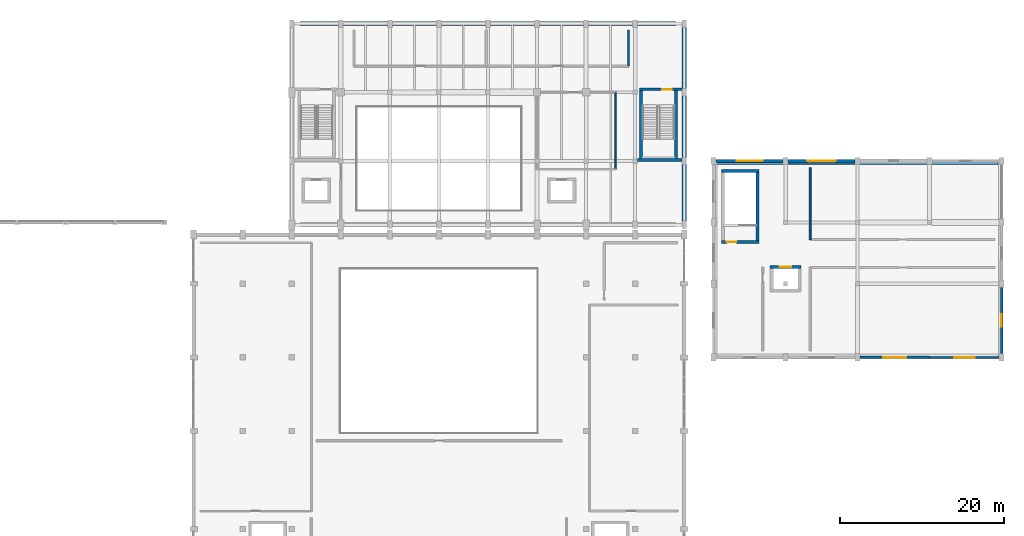
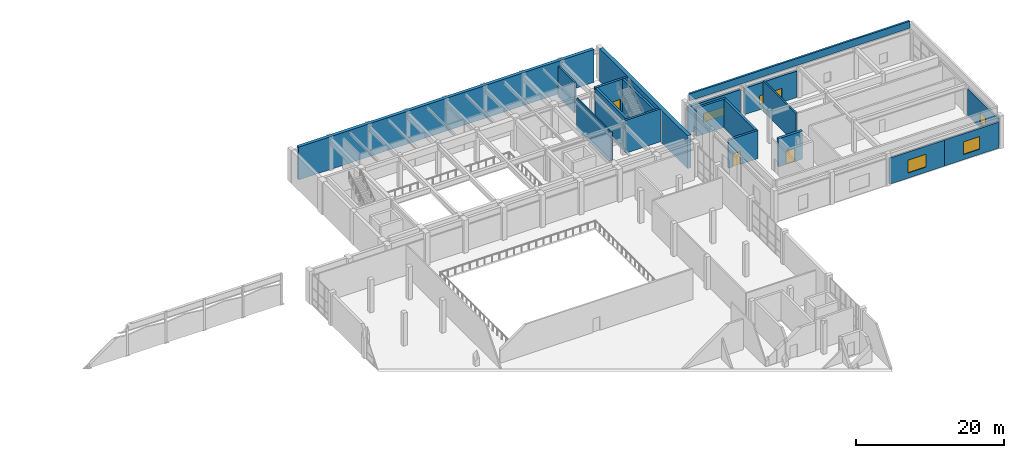
# One storey, part 31 of 41: 19 walls, 5 windows, 3 doors, 8 openings.
"""IFC4 building model written with IfcOpenShell, lengths in metres."""

from ifc_helpers import new_model, si_unit, direction, frame, frame_2d, origin, place, context, subcontext, project, spatial, rectangle, extrude, material, layer, layer_set, type_object, element, fill, save


model = new_model("IFC4")

# Units and contexts
model_context = context("Model", 3, precision=1e-05, world=origin(), true_north=direction((0.0, 1.0)))
body_context = subcontext(model_context, "Body", "Model", "MODEL_VIEW")
ifc_project = project(units=[si_unit("LENGTHUNIT", "METRE"), si_unit("AREAUNIT", "SQUARE_METRE"), si_unit("VOLUMEUNIT", "CUBIC_METRE"), si_unit("PLANEANGLEUNIT", "RADIAN"), si_unit("MASSUNIT", "GRAM", prefix="KILO")], contexts=[model_context])

# Site, building, storey
site_placement = place(None, origin())
site = spatial("IfcSite", under=ifc_project, at=site_placement, CompositionType="ELEMENT")
building_placement = place(site_placement, origin())
building = spatial("IfcBuilding", under=site, at=building_placement, Name="Vaelkrest Opera House", CompositionType="ELEMENT")
storey_placement = place(building_placement, frame((0.0, 0.0, 24.60009765625)))
storey = spatial("IfcBuildingStorey", under=building, at=storey_placement, Name="L05", CompositionType="ELEMENT", Elevation=24.60009765625)

# Wall, opening, window
ifc_material_1 = material(Name="Douglas fir glulam GL28h", Category="wood")
ifc_layer_1 = layer(ifc_material_1, 0.2548828125)
ifc_layer_set_1 = layer_set([ifc_layer_1], Name="Douglas fir glulam GL28h")
wall_type_1 = type_object("IfcWallType", Name="EW01", PredefinedType="STANDARD", material=ifc_layer_set_1)
wall_1_placement = place(storey_placement, frame((68.501953125, 1.199951171875, 0.0), z_axis=(0.0, 0.0, 1.0), x_axis=(-1.0, 0.0, 0.0)))
wall_1 = element("IfcWall", 1, at=wall_1_placement, inside=storey, type_object=wall_type_1, Name="Exterior facade wall EW-V4-L05-0291", PredefinedType="STANDARD", context=body_context, shape_type="SweptSolid", body=[
    extrude(rectangle(XDim=8.501953125, YDim=0.2548828125, at=frame_2d((4.2509765625, 0.0))), origin(), (0.0, 0.0, 1.0), 4.266845703125),
])
opening_1_placement = place(wall_1_placement, frame((3.0009765625, 0.0, 0.85009765625)))
opening_1 = element("IfcOpeningElement", 2, at=opening_1_placement, cuts=wall_1, Name="Opening WN174", PredefinedType="OPENING", context=body_context, shape_type="SweptSolid", body=[
    extrude(rectangle(XDim=2.5, YDim=2.10009765625, at=frame_2d((1.25, 1.050048828125))), frame((0.0, 0.137451171875, 0.0), z_axis=(0.0, -1.0, 0.0), x_axis=(1.0, 0.0, 0.0)), (0.0, 0.0, 1.0), 0.27490234375),
])
ifc_material_2 = material(Name="Double low-E insulated glazing", Category="glass")
window_type_1 = type_object("IfcWindowType", Name="WT18", PartitioningType="SINGLE_PANEL", PredefinedType="WINDOW", material=ifc_material_2)
window_1_placement = place(opening_1_placement, origin())
window_1 = element("IfcWindow", 3, at=window_1_placement, inside=storey, type_object=window_type_1, Name="Facade window WN174", OverallHeight=2.10009765625, OverallWidth=2.5, PartitioningType="SINGLE_PANEL", PredefinedType="WINDOW", context=body_context, shape_type="SweptSolid", body=[
    extrude(rectangle(XDim=2.5, YDim=2.10009765625, at=frame_2d((1.25, 1.050048828125))), frame((0.0, 0.030029296875, 0.0), z_axis=(0.0, -1.0, 0.0), x_axis=(1.0, 0.0, 0.0)), (0.0, 0.0, 1.0), 0.06005859375),
])
fill(opening_1, window_1)

ifc_layer_2 = layer(ifc_material_1, 0.27490234375)
ifc_layer_set_2 = layer_set([ifc_layer_2], Name="Douglas fir glulam GL28h")
wall_type_2 = type_object("IfcWallType", Name="EW02", PredefinedType="STANDARD", material=ifc_layer_set_2)
wall_2_placement = place(storey_placement, frame((60.0, 1.199951171875, 0.0), z_axis=(0.0, 0.0, 1.0), x_axis=(-1.0, 0.0, 0.0)))
wall_2 = element("IfcWall", 4, at=wall_2_placement, inside=storey, type_object=wall_type_2, Name="Exterior facade wall EW-V4-L05-0292", PredefinedType="STANDARD", context=body_context, shape_type="SweptSolid", body=[
    extrude(rectangle(XDim=8.501953125, YDim=0.27490234375, at=frame_2d((4.2509765625, 0.0))), origin(), (0.0, 0.0, 1.0), 4.266845703125),
])
opening_2_placement = place(wall_2_placement, frame((2.825927734375, 0.0, 0.85009765625)))
opening_2 = element("IfcOpeningElement", 5, at=opening_2_placement, cuts=wall_2, Name="Opening WN175", PredefinedType="OPENING", context=body_context, shape_type="SweptSolid", body=[
    extrude(rectangle(XDim=2.85009765625, YDim=2.10009765625, at=frame_2d((1.425048828125, 1.050048828125))), frame((0.0, 0.1474609375, 0.0), z_axis=(0.0, -1.0, 0.0), x_axis=(1.0, 0.0, 0.0)), (0.0, 0.0, 1.0), 0.294921875),
])
window_type_2 = type_object("IfcWindowType", Name="WT19", PartitioningType="SINGLE_PANEL", PredefinedType="WINDOW", material=ifc_material_2)
window_2_placement = place(opening_2_placement, origin())
window_2 = element("IfcWindow", 6, at=window_2_placement, inside=storey, type_object=window_type_2, Name="Facade window WN175", OverallHeight=2.10009765625, OverallWidth=2.85009765625, PartitioningType="SINGLE_PANEL", PredefinedType="WINDOW", context=body_context, shape_type="SweptSolid", body=[
    extrude(rectangle(XDim=2.85009765625, YDim=2.10009765625, at=frame_2d((1.425048828125, 1.050048828125))), frame((0.0, 0.030029296875, 0.0), z_axis=(0.0, -1.0, 0.0), x_axis=(1.0, 0.0, 0.0)), (0.0, 0.0, 1.0), 0.06005859375),
])
fill(opening_2, window_2)

ifc_layer_3 = layer(ifc_material_1, 0.294921875)
ifc_layer_set_3 = layer_set([ifc_layer_3], Name="Douglas fir glulam GL28h")
wall_type_3 = type_object("IfcWallType", Name="EW03", PredefinedType="STANDARD", material=ifc_layer_set_3)
wall_3_placement = place(storey_placement, frame((68.800048828125, 9.751953125, 0.0), z_axis=(0.0, 0.0, 1.0), x_axis=(0.0, -1.0, 0.0)))
wall_3 = element("IfcWall", 7, at=wall_3_placement, inside=storey, type_object=wall_type_3, Name="Exterior facade wall EW-V4-L05-0303", PredefinedType="STANDARD", context=body_context, shape_type="SweptSolid", body=[
    extrude(rectangle(XDim=8.10400390625, YDim=0.294921875, at=frame_2d((4.052001953125, 0.0))), origin(), (0.0, 0.0, 1.0), 4.428955078125),
])
opening_3_placement = place(wall_3_placement, frame((3.277099609375, 0.0, 0.85009765625)))
opening_3 = element("IfcOpeningElement", 8, at=opening_3_placement, cuts=wall_3, Name="Opening WN186", PredefinedType="OPENING", context=body_context, shape_type="SweptSolid", body=[
    extrude(rectangle(XDim=1.550048828125, YDim=1.75, at=frame_2d((0.77490234375, 0.875))), frame((0.0, 0.157470703125, 0.0), z_axis=(0.0, -1.0, 0.0), x_axis=(1.0, 0.0, 0.0)), (0.0, 0.0, 1.0), 0.31494140625),
])
window_type_3 = type_object("IfcWindowType", Name="WT04", PartitioningType="SINGLE_PANEL", PredefinedType="WINDOW", material=ifc_material_2)
window_3_placement = place(opening_3_placement, origin())
window_3 = element("IfcWindow", 9, at=window_3_placement, inside=storey, type_object=window_type_3, Name="Facade window WN186", OverallHeight=1.75, OverallWidth=1.550048828125, PartitioningType="SINGLE_PANEL", PredefinedType="WINDOW", context=body_context, shape_type="SweptSolid", body=[
    extrude(rectangle(XDim=1.550048828125, YDim=1.75, at=frame_2d((0.77490234375, 0.875))), frame((0.0, 0.030029296875, 0.0), z_axis=(0.0, -1.0, 0.0), x_axis=(1.0, 0.0, 0.0)), (0.0, 0.0, 1.0), 0.06005859375),
])
fill(opening_3, window_3)

ifc_material_3 = material(Name="Concrete C40/50", Category="concrete")
ifc_layer_4 = layer(ifc_material_3, 0.409912109375)
ifc_layer_set_4 = layer_set([ifc_layer_4], Name="Concrete C40/50")
wall_type_4 = type_object("IfcWallType", Name="EW08", PredefinedType="STANDARD", material=ifc_layer_set_4)
wall_4_placement = place(storey_placement, frame((33.89794921875, 25.199951171875, 0.0), z_axis=(0.0, 0.0, 1.0), x_axis=(1.0, 0.0, 0.0)))
wall_4 = element("IfcWall", 10, at=wall_4_placement, inside=storey, type_object=wall_type_4, Name="Exterior facade wall EW-V4-L05-0298", PredefinedType="STANDARD", context=body_context, shape_type="SweptSolid", body=[
    extrude(rectangle(XDim=8.2041015625, YDim=0.409912109375, at=frame_2d((4.10205078125, 0.0))), origin(), (0.0, 0.0, 1.0), 4.344970703125),
])
opening_4_placement = place(wall_4_placement, frame((2.501953125, 0.0, 0.85009765625)))
opening_4 = element("IfcOpeningElement", 11, at=opening_4_placement, cuts=wall_4, Name="Opening WN181", PredefinedType="OPENING", context=body_context, shape_type="SweptSolid", body=[
    extrude(rectangle(XDim=3.199951171875, YDim=1.449951171875, at=frame_2d((1.60009765625, 0.72509765625))), frame((0.0, 0.21484375, 0.0), z_axis=(0.0, -1.0, 0.0), x_axis=(1.0, 0.0, 0.0)), (0.0, 0.0, 1.0), 0.429931640625),
])
window_type_4 = type_object("IfcWindowType", Name="WT25", PartitioningType="SINGLE_PANEL", PredefinedType="WINDOW", material=ifc_material_2)
window_4_placement = place(opening_4_placement, origin())
window_4 = element("IfcWindow", 12, at=window_4_placement, inside=storey, type_object=window_type_4, Name="Facade window WN181", OverallHeight=1.449951171875, OverallWidth=3.199951171875, PartitioningType="SINGLE_PANEL", PredefinedType="WINDOW", context=body_context, shape_type="SweptSolid", body=[
    extrude(rectangle(XDim=3.199951171875, YDim=1.449951171875, at=frame_2d((1.60009765625, 0.72509765625))), frame((0.0, 0.030029296875, 0.0), z_axis=(0.0, -1.0, 0.0), x_axis=(1.0, 0.0, 0.0)), (0.0, 0.0, 1.0), 0.06005859375),
])
fill(opening_4, window_4)

ifc_layer_5 = layer(ifc_material_3, 0.43505859375)
ifc_layer_set_5 = layer_set([ifc_layer_5], Name="Concrete C40/50")
wall_type_5 = type_object("IfcWallType", Name="EW09", PredefinedType="STANDARD", material=ifc_layer_set_5)
wall_5_placement = place(storey_placement, frame((42.697998046875, 25.199951171875, 0.0), z_axis=(0.0, 0.0, 1.0), x_axis=(1.0, 0.0, 0.0)))
wall_5 = element("IfcWall", 13, at=wall_5_placement, inside=storey, type_object=wall_type_5, Name="Exterior facade wall EW-V4-L05-0299", PredefinedType="STANDARD", context=body_context, shape_type="SweptSolid", body=[
    extrude(rectangle(XDim=8.2041015625, YDim=0.43505859375, at=frame_2d((4.10205078125, 0.0))), origin(), (0.0, 0.0, 1.0), 4.344970703125),
])
opening_5_placement = place(wall_5_placement, frame((2.35205078125, 0.0, 0.85009765625)))
opening_5 = element("IfcOpeningElement", 14, at=opening_5_placement, cuts=wall_5, Name="Opening WN182", PredefinedType="OPENING", context=body_context, shape_type="SweptSolid", body=[
    extrude(rectangle(XDim=3.5, YDim=1.449951171875, at=frame_2d((1.75, 0.72509765625))), frame((0.0, 0.2275390625, 0.0), z_axis=(0.0, -1.0, 0.0), x_axis=(1.0, 0.0, 0.0)), (0.0, 0.0, 1.0), 0.455078125),
])
window_type_5 = type_object("IfcWindowType", Name="WT26", PartitioningType="SINGLE_PANEL", PredefinedType="WINDOW", material=ifc_material_2)
window_5_placement = place(opening_5_placement, origin())
window_5 = element("IfcWindow", 15, at=window_5_placement, inside=storey, type_object=window_type_5, Name="Facade window WN182", OverallHeight=1.449951171875, OverallWidth=3.5, PartitioningType="SINGLE_PANEL", PredefinedType="WINDOW", context=body_context, shape_type="SweptSolid", body=[
    extrude(rectangle(XDim=3.5, YDim=1.449951171875, at=frame_2d((1.75, 0.72509765625))), frame((0.0, 0.030029296875, 0.0), z_axis=(0.0, -1.0, 0.0), x_axis=(1.0, 0.0, 0.0)), (0.0, 0.0, 1.0), 0.06005859375),
])
fill(opening_5, window_5)

# Walls
ifc_layer_6 = layer(ifc_material_3, 0.300048828125)
ifc_layer_set_6 = layer_set([ifc_layer_6], Name="Concrete C40/50")
wall_type_6 = type_object("IfcWallType", Name="PP04", PredefinedType="PARAPET", material=ifc_layer_set_6)
wall_6_placement = place(storey_placement, frame((68.35009765625, 24.949951171875, 5.39990234375), z_axis=(0.0, 0.0, 1.0), x_axis=(-1.0, 0.0, 0.0)))
element("IfcWall", 16, at=wall_6_placement, inside=storey, type_object=wall_type_6, Name="Roof parapet 03", PredefinedType="PARAPET", context=body_context, shape_type="SweptSolid", body=[
    extrude(rectangle(XDim=34.300048828125, YDim=0.300048828125, at=frame_2d((17.14990234375, 0.0))), origin(), (0.0, 0.0, 1.0), 1.14990234375),
])
ifc_material_4 = material(Name="Gypsum acoustic board", Category="gypsum")
ifc_layer_7 = layer(ifc_material_4, 0.179931640625)
ifc_layer_set_7 = layer_set([ifc_layer_7], Name="Gypsum acoustic board")
wall_type_7 = type_object("IfcWallType", Name="PT05", PredefinedType="PARTITIONING", material=ifc_layer_set_7)
wall_7_placement = place(storey_placement, frame((21.60009765625, 24.199951171875, 0.0), z_axis=(0.0, 0.0, 1.0), x_axis=(0.0, 1.0, 0.0)))
element("IfcWall", 17, at=wall_7_placement, inside=storey, type_object=wall_type_7, Name="Interior partition PT-V2-L05-0229", PredefinedType="PARTITIONING", context=body_context, shape_type="SweptSolid", body=[
    extrude(rectangle(XDim=9.400146484375, YDim=0.179931640625, at=frame_2d((4.7001953125, 0.0))), origin(), (0.0, 0.0, 1.0), 5.02001953125),
])
ifc_layer_8 = layer(ifc_material_3, 0.239990234375)
ifc_layer_set_8 = layer_set([ifc_layer_8], Name="Concrete C40/50")
wall_type_8 = type_object("IfcWallType", Name="PT09", PredefinedType="PARTITIONING", material=ifc_layer_set_8)
wall_8_placement = place(storey_placement, frame((45.39990234375, 15.60009765625, 0.0), z_axis=(0.0, 0.0, 1.0), x_axis=(0.0, 1.0, 0.0)))
element("IfcWall", 18, at=wall_8_placement, inside=storey, type_object=wall_type_8, Name="Interior partition PT-V4-L05-0403", PredefinedType="PARTITIONING", context=body_context, shape_type="SweptSolid", body=[
    extrude(rectangle(XDim=8.7998046875, YDim=0.239990234375, at=frame_2d((4.39990234375, 0.0))), origin(), (0.0, 0.0, 1.0), 5.02001953125),
])
ifc_layer_9 = layer(ifc_material_3, 0.260009765625)
ifc_layer_set_9 = layer_set([ifc_layer_9], Name="Concrete C40/50")
wall_type_9 = type_object("IfcWallType", Name="PT10", PredefinedType="PARTITIONING", material=ifc_layer_set_9)
wall_9_placement = place(storey_placement, frame((23.199951171875, 36.800048828125, 0.0), z_axis=(0.0, 0.0, 1.0), x_axis=(0.0, 1.0, 0.0)))
element("IfcWall", 19, at=wall_9_placement, inside=storey, type_object=wall_type_9, Name="Interior partition PT-V2-L05-0234", PredefinedType="PARTITIONING", context=body_context, shape_type="SweptSolid", body=[
    extrude(rectangle(XDim=4.39990234375, YDim=0.260009765625, at=frame_2d((2.199951171875, 0.0))), origin(), (0.0, 0.0, 1.0), 5.02001953125),
])
ifc_material_5 = material(Name="Concrete C50/60", Category="concrete")
ifc_layer_10 = layer(ifc_material_5, 0.35009765625)
ifc_layer_set_10 = layer_set([ifc_layer_10], Name="Concrete C50/60")
wall_type_10 = type_object("IfcWallType", Name="SW01", PredefinedType="SHEAR", material=ifc_layer_set_10)
wall_10_placement = place(storey_placement, frame((29.699951171875, 25.324951171875, 0.0), z_axis=(0.0, 0.0, 1.0), x_axis=(-1.0, 0.0, 0.0)))
element("IfcWall", 20, at=wall_10_placement, inside=storey, type_object=wall_type_10, Name="Stair core ST06 wall L05 S", PredefinedType="SHEAR", context=body_context, shape_type="SweptSolid", body=[
    extrude(rectangle(XDim=5.425048828125, YDim=0.35009765625, at=frame_2d((2.71240234375, 0.0))), origin(), (0.0, 0.0, 1.0), 5.39990234375),
])
wall_11_placement = place(storey_placement, frame((24.72509765625, 25.5, 0.0), z_axis=(0.0, 0.0, 1.0), x_axis=(0.0, 1.0, 0.0)))
element("IfcWall", 21, at=wall_11_placement, inside=storey, type_object=wall_type_10, Name="Stair core ST06 wall L05 W", PredefinedType="SHEAR", context=body_context, shape_type="SweptSolid", body=[
    extrude(rectangle(XDim=8.300048828125, YDim=0.35009765625, at=frame_2d((4.14990234375, 0.0))), origin(), (0.0, 0.0, 1.0), 5.39990234375),
])

# Wall, opening, door
wall_12_placement = place(storey_placement, frame((24.550048828125, 33.97509765625, 0.0), z_axis=(0.0, 0.0, 1.0), x_axis=(1.0, 0.0, 0.0)))
wall_12 = element("IfcWall", 22, at=wall_12_placement, inside=storey, type_object=wall_type_10, Name="Stair core ST06 wall L05 N", PredefinedType="SHEAR", context=body_context, shape_type="SweptSolid", body=[
    extrude(rectangle(XDim=5.14990234375, YDim=0.35009765625, at=frame_2d((2.574951171875, 0.0))), origin(), (0.0, 0.0, 1.0), 5.39990234375),
])
opening_6_placement = place(wall_12_placement, frame((2.77001953125, 0.0, 0.0)))
opening_6 = element("IfcOpeningElement", 23, at=opening_6_placement, cuts=wall_12, Name="Opening SD-ST06-L05", PredefinedType="OPENING", context=body_context, shape_type="SweptSolid", body=[
    extrude(rectangle(XDim=1.179931640625, YDim=2.14990234375, at=frame_2d((0.58984375, 1.074951171875))), frame((0.0, 0.18505859375, 0.0), z_axis=(0.0, -1.0, 0.0), x_axis=(1.0, 0.0, 0.0)), (0.0, 0.0, 1.0), 0.3701171875),
])
ifc_material_6 = material(Name="American black walnut acoustic timber", Category="wood")
door_type_1 = type_object("IfcDoorType", Name="DT07", OperationType="NOTDEFINED", PredefinedType="DOOR", material=ifc_material_6)
door_1_placement = place(opening_6_placement, origin())
door_1 = element("IfcDoor", 24, at=door_1_placement, inside=storey, type_object=door_type_1, Name="Protected stair door SD-ST06-L05", OperationType="SINGLE_SWING_LEFT", OverallHeight=2.14990234375, OverallWidth=1.179931640625, PredefinedType="DOOR", context=body_context, shape_type="SweptSolid", body=[
    extrude(rectangle(XDim=1.179931640625, YDim=2.14990234375, at=frame_2d((0.58984375, 1.074951171875))), frame((0.0, 0.02490234375, 0.0), z_axis=(0.0, -1.0, 0.0), x_axis=(1.0, 0.0, 0.0)), (0.0, 0.0, 1.0), 0.050048828125),
])
fill(opening_6, door_1)

# Wall
wall_13_placement = place(storey_placement, frame((28.97509765625, 33.800048828125, 0.0), z_axis=(0.0, 0.0, 1.0), x_axis=(0.0, -1.0, 0.0)))
element("IfcWall", 25, at=wall_13_placement, inside=storey, type_object=wall_type_10, Name="Stair core ST06 wall L05 E", PredefinedType="SHEAR", context=body_context, shape_type="SweptSolid", body=[
    extrude(rectangle(XDim=8.300048828125, YDim=0.35009765625, at=frame_2d((4.14990234375, 0.0))), origin(), (0.0, 0.0, 1.0), 5.39990234375),
])

# Wall, opening, door
wall_14_placement = place(storey_placement, frame((39.14990234375, 15.324951171875, 0.0), z_axis=(0.0, 0.0, 1.0), x_axis=(-1.0, 0.0, 0.0)))
wall_14 = element("IfcWall", 26, at=wall_14_placement, inside=storey, type_object=wall_type_10, Name="Stair core ST09 wall L05 S", PredefinedType="SHEAR", context=body_context, shape_type="SweptSolid", body=[
    extrude(rectangle(XDim=4.599853515625, YDim=0.35009765625, at=frame_2d((2.2998046875, 0.0))), origin(), (0.0, 0.0, 1.0), 4.64501953125),
])
opening_7_placement = place(wall_14_placement, frame((2.77001953125, 0.0, 0.0)))
opening_7 = element("IfcOpeningElement", 27, at=opening_7_placement, cuts=wall_14, Name="Opening SD-ST09-L05", PredefinedType="OPENING", context=body_context, shape_type="SweptSolid", body=[
    extrude(rectangle(XDim=1.179931640625, YDim=2.14990234375, at=frame_2d((0.58984375, 1.074951171875))), frame((0.0, 0.18505859375, 0.0), z_axis=(0.0, -1.0, 0.0), x_axis=(1.0, 0.0, 0.0)), (0.0, 0.0, 1.0), 0.3701171875),
])
door_2_placement = place(opening_7_placement, origin())
door_2 = element("IfcDoor", 28, at=door_2_placement, inside=storey, type_object=door_type_1, Name="Protected stair door SD-ST09-L05", OperationType="SINGLE_SWING_RIGHT", OverallHeight=2.14990234375, OverallWidth=1.179931640625, PredefinedType="DOOR", context=body_context, shape_type="SweptSolid", body=[
    extrude(rectangle(XDim=1.179931640625, YDim=2.14990234375, at=frame_2d((0.58984375, 1.074951171875))), frame((0.0, 0.02490234375, 0.0), z_axis=(0.0, -1.0, 0.0), x_axis=(1.0, 0.0, 0.0)), (0.0, 0.0, 1.0), 0.050048828125),
])
fill(opening_7, door_2)

# Walls
wall_15_placement = place(storey_placement, frame((34.550048828125, 23.97509765625, 0.0), z_axis=(0.0, 0.0, 1.0), x_axis=(1.0, 0.0, 0.0)))
element("IfcWall", 29, at=wall_15_placement, inside=storey, type_object=wall_type_10, Name="Stair core ST09 wall L05 N", PredefinedType="SHEAR", context=body_context, shape_type="SweptSolid", body=[
    extrude(rectangle(XDim=4.599853515625, YDim=0.35009765625, at=frame_2d((2.2998046875, 0.0))), origin(), (0.0, 0.0, 1.0), 4.64501953125),
])
wall_16_placement = place(storey_placement, frame((38.97509765625, 23.800048828125, 0.0), z_axis=(0.0, 0.0, 1.0), x_axis=(0.0, -1.0, 0.0)))
element("IfcWall", 30, at=wall_16_placement, inside=storey, type_object=wall_type_10, Name="Stair core ST09 wall L05 E", PredefinedType="SHEAR", context=body_context, shape_type="SweptSolid", body=[
    extrude(rectangle(XDim=8.300048828125, YDim=0.35009765625, at=frame_2d((4.14990234375, 0.0))), origin(), (0.0, 0.0, 1.0), 4.64501953125),
])

# Wall, opening, door
ifc_layer_11 = layer(ifc_material_5, 0.389892578125)
ifc_layer_set_11 = layer_set([ifc_layer_11], Name="Concrete C50/60")
wall_type_11 = type_object("IfcWallType", Name="SW02", PredefinedType="SHEAR", material=ifc_layer_set_11)
wall_17_placement = place(storey_placement, frame((40.510009765625, 12.2451171875, 0.0), z_axis=(0.0, 0.0, 1.0), x_axis=(1.0, 0.0, 0.0)))
wall_17 = element("IfcWall", 31, at=wall_17_placement, inside=storey, type_object=wall_type_11, Name="Lift shaft LP06 wall L05 N", PredefinedType="SHEAR", context=body_context, shape_type="SweptSolid", body=[
    extrude(rectangle(XDim=3.780029296875, YDim=0.389892578125, at=frame_2d((1.89013671875, 0.0))), origin(), (0.0, 0.0, 1.0), 4.64501953125),
])
opening_8_placement = place(wall_17_placement, frame((1.18994140625, 0.0, 0.0)))
opening_8 = element("IfcOpeningElement", 32, at=opening_8_placement, cuts=wall_17, Name="Opening LD-LP06-L05", PredefinedType="OPENING", context=body_context, shape_type="SweptSolid", body=[
    extrude(rectangle(XDim=1.39990234375, YDim=2.199951171875, at=frame_2d((0.699951171875, 1.10009765625))), frame((0.0, 0.204833984375, 0.0), z_axis=(0.0, -1.0, 0.0), x_axis=(1.0, 0.0, 0.0)), (0.0, 0.0, 1.0), 0.409912109375),
])
ifc_material_7 = material(Name="Dark bronze anodized aluminium", Category="aluminium")
door_type_2 = type_object("IfcDoorType", Name="LDT02", OperationType="SLIDING_TO_LEFT", PredefinedType="DOOR", material=ifc_material_7)
door_3_placement = place(opening_8_placement, origin())
door_3 = element("IfcDoor", 33, at=door_3_placement, inside=storey, type_object=door_type_2, Name="Lift landing sliding door LD-LP06-L05", OperationType="SLIDING_TO_LEFT", OverallHeight=2.199951171875, OverallWidth=1.39990234375, PredefinedType="DOOR", context=body_context, shape_type="SweptSolid", body=[
    extrude(rectangle(XDim=1.39990234375, YDim=2.199951171875, at=frame_2d((0.699951171875, 1.10009765625))), frame((0.0, 0.02490234375, 0.0), z_axis=(0.0, -1.0, 0.0), x_axis=(1.0, 0.0, 0.0)), (0.0, 0.0, 1.0), 0.050048828125),
])
fill(opening_8, door_3)

# Walls
ifc_layer_12 = layer(ifc_material_5, 0.5)
ifc_layer_set_12 = layer_set([ifc_layer_12], Name="Concrete C50/60")
wall_type_12 = type_object("IfcWallType", Name="SW05", PredefinedType="SHEAR", material=ifc_layer_set_12)
wall_18_placement = place(storey_placement, frame((-17.0, 42.0, 0.0), z_axis=(0.0, 0.0, 1.0), x_axis=(1.0, 0.0, 0.0)))
element("IfcWall", 34, at=wall_18_placement, inside=storey, type_object=wall_type_12, Name="Fly tower north shear wall L05", PredefinedType="SHEAR", context=body_context, shape_type="SweptSolid", body=[
    extrude(rectangle(XDim=46.0, YDim=0.5, at=frame_2d((23.0, 0.0))), origin(), (0.0, 0.0, 1.0), 5.39990234375),
])
ifc_layer_13 = layer(ifc_material_5, 0.580078125)
ifc_layer_set_13 = layer_set([ifc_layer_13], Name="Concrete C50/60")
wall_type_13 = type_object("IfcWallType", Name="SW06", PredefinedType="SHEAR", material=ifc_layer_set_13)
wall_19_placement = place(storey_placement, frame((30.0, 17.85009765625, 0.0), z_axis=(0.0, 0.0, 1.0), x_axis=(0.0, 1.0, 0.0)))
element("IfcWall", 35, at=wall_19_placement, inside=storey, type_object=wall_type_13, Name="Fly tower east exterior shear wall L05", PredefinedType="SHEAR", context=body_context, shape_type="SweptSolid", body=[
    extrude(rectangle(XDim=23.699951171875, YDim=0.580078125, at=frame_2d((11.85009765625, 0.0))), origin(), (0.0, 0.0, 1.0), 5.39990234375),
])

save(model, "model.ifc")
